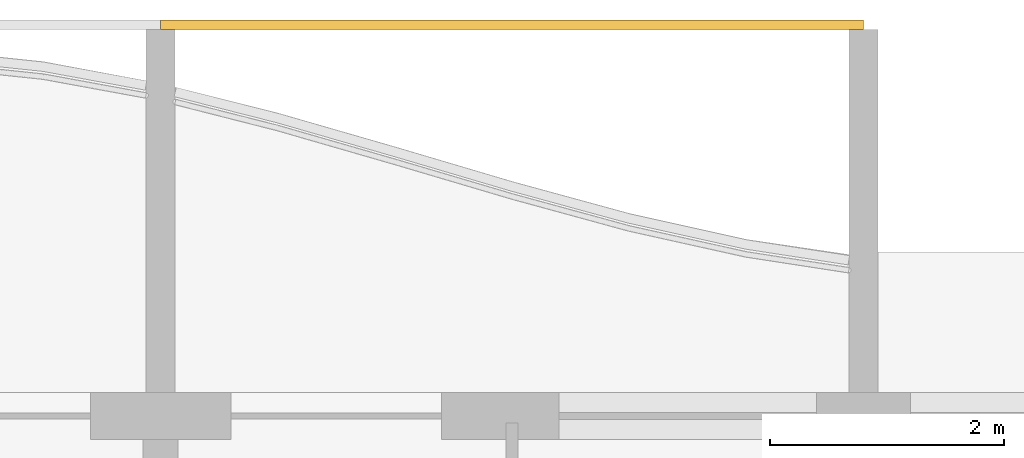
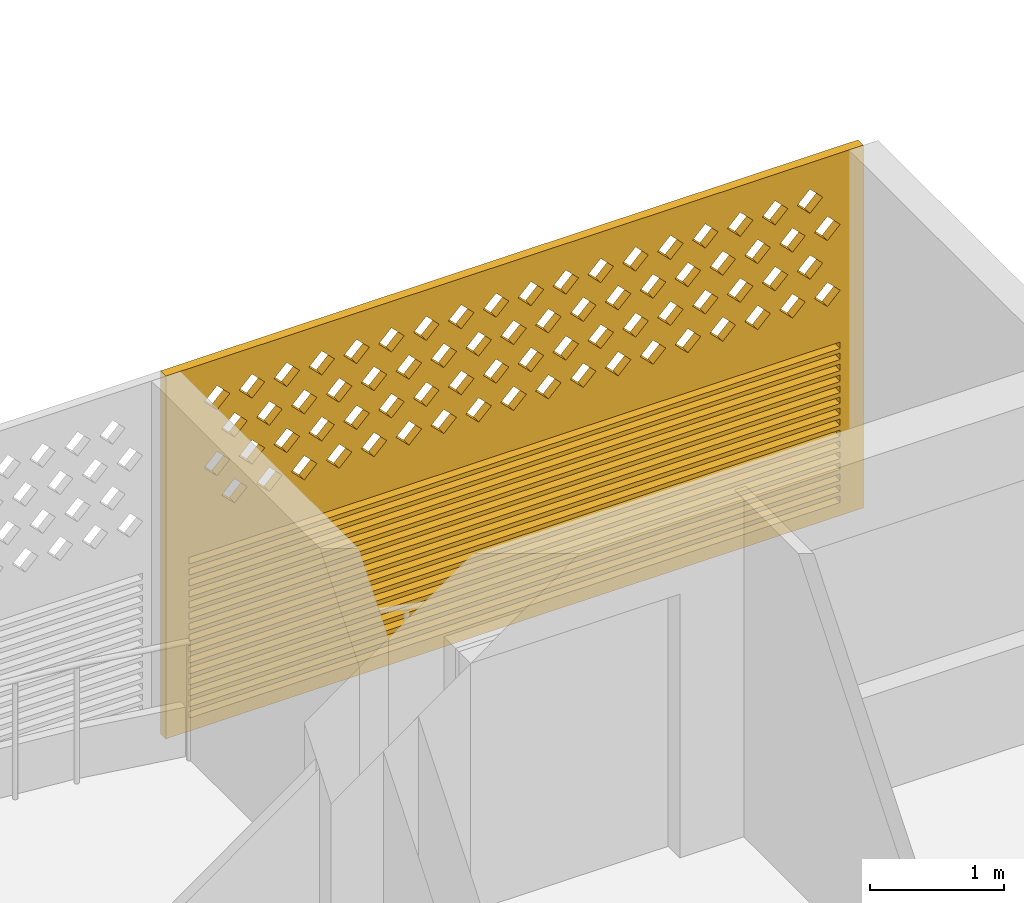
# One storey, part 30 of 32: 1 covering.
"""IFC4 building model written with IfcOpenShell, lengths in metres."""

from ifc_helpers import new_model, si_unit, direction, frame, origin, place, context, subcontext, project, spatial, polyline, outline, extrude, source, transform, mapped, material, material_profile, profile_set, type_object, element, save


model = new_model("IFC4")

# Units and contexts
model_context = context("Model", 3, precision=1e-05, world=origin(), true_north=direction((0.0, 1.0)))
body_context = subcontext(model_context, "Body", "Model", "MODEL_VIEW")
ifc_project = project(units=[si_unit("LENGTHUNIT", "METRE"), si_unit("AREAUNIT", "SQUARE_METRE"), si_unit("VOLUMEUNIT", "CUBIC_METRE"), si_unit("PLANEANGLEUNIT", "RADIAN"), si_unit("MASSUNIT", "GRAM", prefix="KILO")], contexts=[model_context])

# Site, building, storey
site_placement = place(None, origin())
site = spatial("IfcSite", under=ifc_project, at=site_placement, CompositionType="ELEMENT")
building_placement = place(site_placement, origin())
building = spatial("IfcBuilding", under=site, at=building_placement, Name="Poui Terraces", CompositionType="ELEMENT")
storey_placement = place(building_placement, frame((0.0, 0.0, 122.39990234375)))
storey = spatial("IfcBuildingStorey", under=building, at=storey_placement, Name="L33", CompositionType="ELEMENT", Elevation=122.39990234375)

# Covering
ifc_material = material(Name="Terracotta screen", Category="masonry")
ifc_material_profile = material_profile(ifc_material, outline(polyline([(-3.0, -1.64990234375), (3.0, -1.64990234375), (3.0, 1.64990234375), (-3.0, 1.64990234375), (-3.0, -1.64990234375)]), holes=[polyline([(-2.800048828125, 0.39990234375), (-2.68994140625, 0.2900390625), (-2.580078125, 0.39990234375), (-2.68994140625, 0.510009765625), (-2.800048828125, 0.39990234375)]), polyline([(-2.5, 0.39990234375), (-2.389892578125, 0.2900390625), (-2.280029296875, 0.39990234375), (-2.389892578125, 0.510009765625), (-2.5, 0.39990234375)]), polyline([(-2.199951171875, 0.39990234375), (-2.090087890625, 0.2900390625), (-1.97998046875, 0.39990234375), (-2.090087890625, 0.510009765625), (-2.199951171875, 0.39990234375)]), polyline([(-1.89990234375, 0.39990234375), (-1.7900390625, 0.2900390625), (-1.679931640625, 0.39990234375), (-1.7900390625, 0.510009765625), (-1.89990234375, 0.39990234375)]), polyline([(-1.60009765625, 0.39990234375), (-1.489990234375, 0.2900390625), (-1.3798828125, 0.39990234375), (-1.489990234375, 0.510009765625), (-1.60009765625, 0.39990234375)]), polyline([(-1.300048828125, 0.39990234375), (-1.18994140625, 0.2900390625), (-1.080078125, 0.39990234375), (-1.18994140625, 0.510009765625), (-1.300048828125, 0.39990234375)]), polyline([(-1.0, 0.39990234375), (-0.889892578125, 0.2900390625), (-0.780029296875, 0.39990234375), (-0.889892578125, 0.510009765625), (-1.0, 0.39990234375)]), polyline([(-0.699951171875, 0.39990234375), (-0.590087890625, 0.2900390625), (-0.47998046875, 0.39990234375), (-0.590087890625, 0.510009765625), (-0.699951171875, 0.39990234375)]), polyline([(-0.39990234375, 0.39990234375), (-0.2900390625, 0.2900390625), (-0.179931640625, 0.39990234375), (-0.2900390625, 0.510009765625), (-0.39990234375, 0.39990234375)]), polyline([(-0.10009765625, 0.39990234375), (0.010009765625, 0.2900390625), (0.1201171875, 0.39990234375), (0.010009765625, 0.510009765625), (-0.10009765625, 0.39990234375)]), polyline([(0.199951171875, 0.39990234375), (0.31005859375, 0.2900390625), (0.419921875, 0.39990234375), (0.31005859375, 0.510009765625), (0.199951171875, 0.39990234375)]), polyline([(0.5, 0.39990234375), (0.610107421875, 0.2900390625), (0.719970703125, 0.39990234375), (0.610107421875, 0.510009765625), (0.5, 0.39990234375)]), polyline([(0.800048828125, 0.39990234375), (0.909912109375, 0.2900390625), (1.02001953125, 0.39990234375), (0.909912109375, 0.510009765625), (0.800048828125, 0.39990234375)]), polyline([(1.10009765625, 0.39990234375), (1.2099609375, 0.2900390625), (1.320068359375, 0.39990234375), (1.2099609375, 0.510009765625), (1.10009765625, 0.39990234375)]), polyline([(1.39990234375, 0.39990234375), (1.510009765625, 0.2900390625), (1.6201171875, 0.39990234375), (1.510009765625, 0.510009765625), (1.39990234375, 0.39990234375)]), polyline([(1.699951171875, 0.39990234375), (1.81005859375, 0.2900390625), (1.919921875, 0.39990234375), (1.81005859375, 0.510009765625), (1.699951171875, 0.39990234375)]), polyline([(2.0, 0.39990234375), (2.110107421875, 0.2900390625), (2.219970703125, 0.39990234375), (2.110107421875, 0.510009765625), (2.0, 0.39990234375)]), polyline([(2.300048828125, 0.39990234375), (2.409912109375, 0.2900390625), (2.52001953125, 0.39990234375), (2.409912109375, 0.510009765625), (2.300048828125, 0.39990234375)]), polyline([(-2.64990234375, 0.699951171875), (-2.5400390625, 0.590087890625), (-2.429931640625, 0.699951171875), (-2.5400390625, 0.81005859375), (-2.64990234375, 0.699951171875)]), polyline([(-2.35009765625, 0.699951171875), (-2.239990234375, 0.590087890625), (-2.1298828125, 0.699951171875), (-2.239990234375, 0.81005859375), (-2.35009765625, 0.699951171875)]), polyline([(-2.050048828125, 0.699951171875), (-1.93994140625, 0.590087890625), (-1.830078125, 0.699951171875), (-1.93994140625, 0.81005859375), (-2.050048828125, 0.699951171875)]), polyline([(-1.75, 0.699951171875), (-1.639892578125, 0.590087890625), (-1.530029296875, 0.699951171875), (-1.639892578125, 0.81005859375), (-1.75, 0.699951171875)]), polyline([(-1.449951171875, 0.699951171875), (-1.340087890625, 0.590087890625), (-1.22998046875, 0.699951171875), (-1.340087890625, 0.81005859375), (-1.449951171875, 0.699951171875)]), polyline([(-1.14990234375, 0.699951171875), (-1.0400390625, 0.590087890625), (-0.929931640625, 0.699951171875), (-1.0400390625, 0.81005859375), (-1.14990234375, 0.699951171875)]), polyline([(-0.85009765625, 0.699951171875), (-0.739990234375, 0.590087890625), (-0.6298828125, 0.699951171875), (-0.739990234375, 0.81005859375), (-0.85009765625, 0.699951171875)]), polyline([(-0.550048828125, 0.699951171875), (-0.43994140625, 0.590087890625), (-0.330078125, 0.699951171875), (-0.43994140625, 0.81005859375), (-0.550048828125, 0.699951171875)]), polyline([(-0.25, 0.699951171875), (-0.139892578125, 0.590087890625), (-0.030029296875, 0.699951171875), (-0.139892578125, 0.81005859375), (-0.25, 0.699951171875)]), polyline([(0.050048828125, 0.699951171875), (0.159912109375, 0.590087890625), (0.27001953125, 0.699951171875), (0.159912109375, 0.81005859375), (0.050048828125, 0.699951171875)]), polyline([(0.35009765625, 0.699951171875), (0.4599609375, 0.590087890625), (0.570068359375, 0.699951171875), (0.4599609375, 0.81005859375), (0.35009765625, 0.699951171875)]), polyline([(0.64990234375, 0.699951171875), (0.760009765625, 0.590087890625), (0.8701171875, 0.699951171875), (0.760009765625, 0.81005859375), (0.64990234375, 0.699951171875)]), polyline([(0.949951171875, 0.699951171875), (1.06005859375, 0.590087890625), (1.169921875, 0.699951171875), (1.06005859375, 0.81005859375), (0.949951171875, 0.699951171875)]), polyline([(1.25, 0.699951171875), (1.360107421875, 0.590087890625), (1.469970703125, 0.699951171875), (1.360107421875, 0.81005859375), (1.25, 0.699951171875)]), polyline([(1.550048828125, 0.699951171875), (1.659912109375, 0.590087890625), (1.77001953125, 0.699951171875), (1.659912109375, 0.81005859375), (1.550048828125, 0.699951171875)]), polyline([(1.85009765625, 0.699951171875), (1.9599609375, 0.590087890625), (2.070068359375, 0.699951171875), (1.9599609375, 0.81005859375), (1.85009765625, 0.699951171875)]), polyline([(2.14990234375, 0.699951171875), (2.260009765625, 0.590087890625), (2.3701171875, 0.699951171875), (2.260009765625, 0.81005859375), (2.14990234375, 0.699951171875)]), polyline([(2.449951171875, 0.699951171875), (2.56005859375, 0.590087890625), (2.669921875, 0.699951171875), (2.56005859375, 0.81005859375), (2.449951171875, 0.699951171875)]), polyline([(-2.800048828125, 1.0), (-2.68994140625, 0.889892578125), (-2.580078125, 1.0), (-2.68994140625, 1.110107421875), (-2.800048828125, 1.0)]), polyline([(-2.5, 1.0), (-2.389892578125, 0.889892578125), (-2.280029296875, 1.0), (-2.389892578125, 1.110107421875), (-2.5, 1.0)]), polyline([(-2.199951171875, 1.0), (-2.090087890625, 0.889892578125), (-1.97998046875, 1.0), (-2.090087890625, 1.110107421875), (-2.199951171875, 1.0)]), polyline([(-1.89990234375, 1.0), (-1.7900390625, 0.889892578125), (-1.679931640625, 1.0), (-1.7900390625, 1.110107421875), (-1.89990234375, 1.0)]), polyline([(-1.60009765625, 1.0), (-1.489990234375, 0.889892578125), (-1.3798828125, 1.0), (-1.489990234375, 1.110107421875), (-1.60009765625, 1.0)]), polyline([(-1.300048828125, 1.0), (-1.18994140625, 0.889892578125), (-1.080078125, 1.0), (-1.18994140625, 1.110107421875), (-1.300048828125, 1.0)]), polyline([(-1.0, 1.0), (-0.889892578125, 0.889892578125), (-0.780029296875, 1.0), (-0.889892578125, 1.110107421875), (-1.0, 1.0)]), polyline([(-0.699951171875, 1.0), (-0.590087890625, 0.889892578125), (-0.47998046875, 1.0), (-0.590087890625, 1.110107421875), (-0.699951171875, 1.0)]), polyline([(-0.39990234375, 1.0), (-0.2900390625, 0.889892578125), (-0.179931640625, 1.0), (-0.2900390625, 1.110107421875), (-0.39990234375, 1.0)]), polyline([(-0.10009765625, 1.0), (0.010009765625, 0.889892578125), (0.1201171875, 1.0), (0.010009765625, 1.110107421875), (-0.10009765625, 1.0)]), polyline([(0.199951171875, 1.0), (0.31005859375, 0.889892578125), (0.419921875, 1.0), (0.31005859375, 1.110107421875), (0.199951171875, 1.0)]), polyline([(0.5, 1.0), (0.610107421875, 0.889892578125), (0.719970703125, 1.0), (0.610107421875, 1.110107421875), (0.5, 1.0)]), polyline([(0.800048828125, 1.0), (0.909912109375, 0.889892578125), (1.02001953125, 1.0), (0.909912109375, 1.110107421875), (0.800048828125, 1.0)]), polyline([(1.10009765625, 1.0), (1.2099609375, 0.889892578125), (1.320068359375, 1.0), (1.2099609375, 1.110107421875), (1.10009765625, 1.0)]), polyline([(1.39990234375, 1.0), (1.510009765625, 0.889892578125), (1.6201171875, 1.0), (1.510009765625, 1.110107421875), (1.39990234375, 1.0)]), polyline([(1.699951171875, 1.0), (1.81005859375, 0.889892578125), (1.919921875, 1.0), (1.81005859375, 1.110107421875), (1.699951171875, 1.0)]), polyline([(2.0, 1.0), (2.110107421875, 0.889892578125), (2.219970703125, 1.0), (2.110107421875, 1.110107421875), (2.0, 1.0)]), polyline([(2.300048828125, 1.0), (2.409912109375, 0.889892578125), (2.52001953125, 1.0), (2.409912109375, 1.110107421875), (2.300048828125, 1.0)]), polyline([(-2.64990234375, 1.300048828125), (-2.5400390625, 1.18994140625), (-2.429931640625, 1.300048828125), (-2.5400390625, 1.409912109375), (-2.64990234375, 1.300048828125)]), polyline([(-2.35009765625, 1.300048828125), (-2.239990234375, 1.18994140625), (-2.1298828125, 1.300048828125), (-2.239990234375, 1.409912109375), (-2.35009765625, 1.300048828125)]), polyline([(-2.050048828125, 1.300048828125), (-1.93994140625, 1.18994140625), (-1.830078125, 1.300048828125), (-1.93994140625, 1.409912109375), (-2.050048828125, 1.300048828125)]), polyline([(-1.75, 1.300048828125), (-1.639892578125, 1.18994140625), (-1.530029296875, 1.300048828125), (-1.639892578125, 1.409912109375), (-1.75, 1.300048828125)]), polyline([(-1.449951171875, 1.300048828125), (-1.340087890625, 1.18994140625), (-1.22998046875, 1.300048828125), (-1.340087890625, 1.409912109375), (-1.449951171875, 1.300048828125)]), polyline([(-1.14990234375, 1.300048828125), (-1.0400390625, 1.18994140625), (-0.929931640625, 1.300048828125), (-1.0400390625, 1.409912109375), (-1.14990234375, 1.300048828125)]), polyline([(-0.85009765625, 1.300048828125), (-0.739990234375, 1.18994140625), (-0.6298828125, 1.300048828125), (-0.739990234375, 1.409912109375), (-0.85009765625, 1.300048828125)]), polyline([(-0.550048828125, 1.300048828125), (-0.43994140625, 1.18994140625), (-0.330078125, 1.300048828125), (-0.43994140625, 1.409912109375), (-0.550048828125, 1.300048828125)]), polyline([(-0.25, 1.300048828125), (-0.139892578125, 1.18994140625), (-0.030029296875, 1.300048828125), (-0.139892578125, 1.409912109375), (-0.25, 1.300048828125)]), polyline([(0.050048828125, 1.300048828125), (0.159912109375, 1.18994140625), (0.27001953125, 1.300048828125), (0.159912109375, 1.409912109375), (0.050048828125, 1.300048828125)]), polyline([(0.35009765625, 1.300048828125), (0.4599609375, 1.18994140625), (0.570068359375, 1.300048828125), (0.4599609375, 1.409912109375), (0.35009765625, 1.300048828125)]), polyline([(0.64990234375, 1.300048828125), (0.760009765625, 1.18994140625), (0.8701171875, 1.300048828125), (0.760009765625, 1.409912109375), (0.64990234375, 1.300048828125)]), polyline([(0.949951171875, 1.300048828125), (1.06005859375, 1.18994140625), (1.169921875, 1.300048828125), (1.06005859375, 1.409912109375), (0.949951171875, 1.300048828125)]), polyline([(1.25, 1.300048828125), (1.360107421875, 1.18994140625), (1.469970703125, 1.300048828125), (1.360107421875, 1.409912109375), (1.25, 1.300048828125)]), polyline([(1.550048828125, 1.300048828125), (1.659912109375, 1.18994140625), (1.77001953125, 1.300048828125), (1.659912109375, 1.409912109375), (1.550048828125, 1.300048828125)]), polyline([(1.85009765625, 1.300048828125), (1.9599609375, 1.18994140625), (2.070068359375, 1.300048828125), (1.9599609375, 1.409912109375), (1.85009765625, 1.300048828125)]), polyline([(2.14990234375, 1.300048828125), (2.260009765625, 1.18994140625), (2.3701171875, 1.300048828125), (2.260009765625, 1.409912109375), (2.14990234375, 1.300048828125)]), polyline([(2.449951171875, 1.300048828125), (2.56005859375, 1.18994140625), (2.669921875, 1.300048828125), (2.56005859375, 1.409912109375), (2.449951171875, 1.300048828125)]), polyline([(-2.800048828125, -1.530029296875), (2.800048828125, -1.530029296875), (2.800048828125, -1.469970703125), (-2.800048828125, -1.469970703125), (-2.800048828125, -1.530029296875)]), polyline([(-2.800048828125, -1.429931640625), (2.800048828125, -1.429931640625), (2.800048828125, -1.3701171875), (-2.800048828125, -1.3701171875), (-2.800048828125, -1.429931640625)]), polyline([(-2.800048828125, -1.330078125), (2.800048828125, -1.330078125), (2.800048828125, -1.27001953125), (-2.800048828125, -1.27001953125), (-2.800048828125, -1.330078125)]), polyline([(-2.800048828125, -1.22998046875), (2.800048828125, -1.22998046875), (2.800048828125, -1.169921875), (-2.800048828125, -1.169921875), (-2.800048828125, -1.22998046875)]), polyline([(-2.800048828125, -1.1298828125), (2.800048828125, -1.1298828125), (2.800048828125, -1.070068359375), (-2.800048828125, -1.070068359375), (-2.800048828125, -1.1298828125)]), polyline([(-2.800048828125, -1.030029296875), (2.800048828125, -1.030029296875), (2.800048828125, -0.969970703125), (-2.800048828125, -0.969970703125), (-2.800048828125, -1.030029296875)]), polyline([(-2.800048828125, -0.929931640625), (2.800048828125, -0.929931640625), (2.800048828125, -0.8701171875), (-2.800048828125, -0.8701171875), (-2.800048828125, -0.929931640625)]), polyline([(-2.800048828125, -0.830078125), (2.800048828125, -0.830078125), (2.800048828125, -0.77001953125), (-2.800048828125, -0.77001953125), (-2.800048828125, -0.830078125)]), polyline([(-2.800048828125, -0.72998046875), (2.800048828125, -0.72998046875), (2.800048828125, -0.669921875), (-2.800048828125, -0.669921875), (-2.800048828125, -0.72998046875)]), polyline([(-2.800048828125, -0.6298828125), (2.800048828125, -0.6298828125), (2.800048828125, -0.570068359375), (-2.800048828125, -0.570068359375), (-2.800048828125, -0.6298828125)]), polyline([(-2.800048828125, -0.530029296875), (2.800048828125, -0.530029296875), (2.800048828125, -0.469970703125), (-2.800048828125, -0.469970703125), (-2.800048828125, -0.530029296875)]), polyline([(-2.800048828125, -0.429931640625), (2.800048828125, -0.429931640625), (2.800048828125, -0.3701171875), (-2.800048828125, -0.3701171875), (-2.800048828125, -0.429931640625)]), polyline([(-2.800048828125, -0.330078125), (2.800048828125, -0.330078125), (2.800048828125, -0.27001953125), (-2.800048828125, -0.27001953125), (-2.800048828125, -0.330078125)]), polyline([(-2.800048828125, -0.22998046875), (2.800048828125, -0.22998046875), (2.800048828125, -0.169921875), (-2.800048828125, -0.169921875), (-2.800048828125, -0.22998046875)]), polyline([(-2.800048828125, -0.1298828125), (2.800048828125, -0.1298828125), (2.800048828125, -0.070068359375), (-2.800048828125, -0.070068359375), (-2.800048828125, -0.1298828125)])]), Name="TERRACOTTA SCREEN AND JALOUSIE LOUVRE 6000X3300")
ifc_profile_set = profile_set([ifc_material_profile], Name="Terracotta screen")
covering_type = type_object("IfcCoveringType", Name="TERRACOTTA SCREEN AND JALOUSIE LOUVRE 6000X3300", PredefinedType="CLADDING", material=ifc_profile_set)
shared_shape = source(origin(), body_context, "Body", "SweptSolid", [
    extrude(outline(polyline([(-3.0, -1.64990234375), (3.0, -1.64990234375), (3.0, 1.64990234375), (-3.0, 1.64990234375), (-3.0, -1.64990234375)]), holes=[polyline([(-2.800048828125, 0.39990234375), (-2.68994140625, 0.2900390625), (-2.580078125, 0.39990234375), (-2.68994140625, 0.510009765625), (-2.800048828125, 0.39990234375)]), polyline([(-2.5, 0.39990234375), (-2.389892578125, 0.2900390625), (-2.280029296875, 0.39990234375), (-2.389892578125, 0.510009765625), (-2.5, 0.39990234375)]), polyline([(-2.199951171875, 0.39990234375), (-2.090087890625, 0.2900390625), (-1.97998046875, 0.39990234375), (-2.090087890625, 0.510009765625), (-2.199951171875, 0.39990234375)]), polyline([(-1.89990234375, 0.39990234375), (-1.7900390625, 0.2900390625), (-1.679931640625, 0.39990234375), (-1.7900390625, 0.510009765625), (-1.89990234375, 0.39990234375)]), polyline([(-1.60009765625, 0.39990234375), (-1.489990234375, 0.2900390625), (-1.3798828125, 0.39990234375), (-1.489990234375, 0.510009765625), (-1.60009765625, 0.39990234375)]), polyline([(-1.300048828125, 0.39990234375), (-1.18994140625, 0.2900390625), (-1.080078125, 0.39990234375), (-1.18994140625, 0.510009765625), (-1.300048828125, 0.39990234375)]), polyline([(-1.0, 0.39990234375), (-0.889892578125, 0.2900390625), (-0.780029296875, 0.39990234375), (-0.889892578125, 0.510009765625), (-1.0, 0.39990234375)]), polyline([(-0.699951171875, 0.39990234375), (-0.590087890625, 0.2900390625), (-0.47998046875, 0.39990234375), (-0.590087890625, 0.510009765625), (-0.699951171875, 0.39990234375)]), polyline([(-0.39990234375, 0.39990234375), (-0.2900390625, 0.2900390625), (-0.179931640625, 0.39990234375), (-0.2900390625, 0.510009765625), (-0.39990234375, 0.39990234375)]), polyline([(-0.10009765625, 0.39990234375), (0.010009765625, 0.2900390625), (0.1201171875, 0.39990234375), (0.010009765625, 0.510009765625), (-0.10009765625, 0.39990234375)]), polyline([(0.199951171875, 0.39990234375), (0.31005859375, 0.2900390625), (0.419921875, 0.39990234375), (0.31005859375, 0.510009765625), (0.199951171875, 0.39990234375)]), polyline([(0.5, 0.39990234375), (0.610107421875, 0.2900390625), (0.719970703125, 0.39990234375), (0.610107421875, 0.510009765625), (0.5, 0.39990234375)]), polyline([(0.800048828125, 0.39990234375), (0.909912109375, 0.2900390625), (1.02001953125, 0.39990234375), (0.909912109375, 0.510009765625), (0.800048828125, 0.39990234375)]), polyline([(1.10009765625, 0.39990234375), (1.2099609375, 0.2900390625), (1.320068359375, 0.39990234375), (1.2099609375, 0.510009765625), (1.10009765625, 0.39990234375)]), polyline([(1.39990234375, 0.39990234375), (1.510009765625, 0.2900390625), (1.6201171875, 0.39990234375), (1.510009765625, 0.510009765625), (1.39990234375, 0.39990234375)]), polyline([(1.699951171875, 0.39990234375), (1.81005859375, 0.2900390625), (1.919921875, 0.39990234375), (1.81005859375, 0.510009765625), (1.699951171875, 0.39990234375)]), polyline([(2.0, 0.39990234375), (2.110107421875, 0.2900390625), (2.219970703125, 0.39990234375), (2.110107421875, 0.510009765625), (2.0, 0.39990234375)]), polyline([(2.300048828125, 0.39990234375), (2.409912109375, 0.2900390625), (2.52001953125, 0.39990234375), (2.409912109375, 0.510009765625), (2.300048828125, 0.39990234375)]), polyline([(-2.64990234375, 0.699951171875), (-2.5400390625, 0.590087890625), (-2.429931640625, 0.699951171875), (-2.5400390625, 0.81005859375), (-2.64990234375, 0.699951171875)]), polyline([(-2.35009765625, 0.699951171875), (-2.239990234375, 0.590087890625), (-2.1298828125, 0.699951171875), (-2.239990234375, 0.81005859375), (-2.35009765625, 0.699951171875)]), polyline([(-2.050048828125, 0.699951171875), (-1.93994140625, 0.590087890625), (-1.830078125, 0.699951171875), (-1.93994140625, 0.81005859375), (-2.050048828125, 0.699951171875)]), polyline([(-1.75, 0.699951171875), (-1.639892578125, 0.590087890625), (-1.530029296875, 0.699951171875), (-1.639892578125, 0.81005859375), (-1.75, 0.699951171875)]), polyline([(-1.449951171875, 0.699951171875), (-1.340087890625, 0.590087890625), (-1.22998046875, 0.699951171875), (-1.340087890625, 0.81005859375), (-1.449951171875, 0.699951171875)]), polyline([(-1.14990234375, 0.699951171875), (-1.0400390625, 0.590087890625), (-0.929931640625, 0.699951171875), (-1.0400390625, 0.81005859375), (-1.14990234375, 0.699951171875)]), polyline([(-0.85009765625, 0.699951171875), (-0.739990234375, 0.590087890625), (-0.6298828125, 0.699951171875), (-0.739990234375, 0.81005859375), (-0.85009765625, 0.699951171875)]), polyline([(-0.550048828125, 0.699951171875), (-0.43994140625, 0.590087890625), (-0.330078125, 0.699951171875), (-0.43994140625, 0.81005859375), (-0.550048828125, 0.699951171875)]), polyline([(-0.25, 0.699951171875), (-0.139892578125, 0.590087890625), (-0.030029296875, 0.699951171875), (-0.139892578125, 0.81005859375), (-0.25, 0.699951171875)]), polyline([(0.050048828125, 0.699951171875), (0.159912109375, 0.590087890625), (0.27001953125, 0.699951171875), (0.159912109375, 0.81005859375), (0.050048828125, 0.699951171875)]), polyline([(0.35009765625, 0.699951171875), (0.4599609375, 0.590087890625), (0.570068359375, 0.699951171875), (0.4599609375, 0.81005859375), (0.35009765625, 0.699951171875)]), polyline([(0.64990234375, 0.699951171875), (0.760009765625, 0.590087890625), (0.8701171875, 0.699951171875), (0.760009765625, 0.81005859375), (0.64990234375, 0.699951171875)]), polyline([(0.949951171875, 0.699951171875), (1.06005859375, 0.590087890625), (1.169921875, 0.699951171875), (1.06005859375, 0.81005859375), (0.949951171875, 0.699951171875)]), polyline([(1.25, 0.699951171875), (1.360107421875, 0.590087890625), (1.469970703125, 0.699951171875), (1.360107421875, 0.81005859375), (1.25, 0.699951171875)]), polyline([(1.550048828125, 0.699951171875), (1.659912109375, 0.590087890625), (1.77001953125, 0.699951171875), (1.659912109375, 0.81005859375), (1.550048828125, 0.699951171875)]), polyline([(1.85009765625, 0.699951171875), (1.9599609375, 0.590087890625), (2.070068359375, 0.699951171875), (1.9599609375, 0.81005859375), (1.85009765625, 0.699951171875)]), polyline([(2.14990234375, 0.699951171875), (2.260009765625, 0.590087890625), (2.3701171875, 0.699951171875), (2.260009765625, 0.81005859375), (2.14990234375, 0.699951171875)]), polyline([(2.449951171875, 0.699951171875), (2.56005859375, 0.590087890625), (2.669921875, 0.699951171875), (2.56005859375, 0.81005859375), (2.449951171875, 0.699951171875)]), polyline([(-2.800048828125, 1.0), (-2.68994140625, 0.889892578125), (-2.580078125, 1.0), (-2.68994140625, 1.110107421875), (-2.800048828125, 1.0)]), polyline([(-2.5, 1.0), (-2.389892578125, 0.889892578125), (-2.280029296875, 1.0), (-2.389892578125, 1.110107421875), (-2.5, 1.0)]), polyline([(-2.199951171875, 1.0), (-2.090087890625, 0.889892578125), (-1.97998046875, 1.0), (-2.090087890625, 1.110107421875), (-2.199951171875, 1.0)]), polyline([(-1.89990234375, 1.0), (-1.7900390625, 0.889892578125), (-1.679931640625, 1.0), (-1.7900390625, 1.110107421875), (-1.89990234375, 1.0)]), polyline([(-1.60009765625, 1.0), (-1.489990234375, 0.889892578125), (-1.3798828125, 1.0), (-1.489990234375, 1.110107421875), (-1.60009765625, 1.0)]), polyline([(-1.300048828125, 1.0), (-1.18994140625, 0.889892578125), (-1.080078125, 1.0), (-1.18994140625, 1.110107421875), (-1.300048828125, 1.0)]), polyline([(-1.0, 1.0), (-0.889892578125, 0.889892578125), (-0.780029296875, 1.0), (-0.889892578125, 1.110107421875), (-1.0, 1.0)]), polyline([(-0.699951171875, 1.0), (-0.590087890625, 0.889892578125), (-0.47998046875, 1.0), (-0.590087890625, 1.110107421875), (-0.699951171875, 1.0)]), polyline([(-0.39990234375, 1.0), (-0.2900390625, 0.889892578125), (-0.179931640625, 1.0), (-0.2900390625, 1.110107421875), (-0.39990234375, 1.0)]), polyline([(-0.10009765625, 1.0), (0.010009765625, 0.889892578125), (0.1201171875, 1.0), (0.010009765625, 1.110107421875), (-0.10009765625, 1.0)]), polyline([(0.199951171875, 1.0), (0.31005859375, 0.889892578125), (0.419921875, 1.0), (0.31005859375, 1.110107421875), (0.199951171875, 1.0)]), polyline([(0.5, 1.0), (0.610107421875, 0.889892578125), (0.719970703125, 1.0), (0.610107421875, 1.110107421875), (0.5, 1.0)]), polyline([(0.800048828125, 1.0), (0.909912109375, 0.889892578125), (1.02001953125, 1.0), (0.909912109375, 1.110107421875), (0.800048828125, 1.0)]), polyline([(1.10009765625, 1.0), (1.2099609375, 0.889892578125), (1.320068359375, 1.0), (1.2099609375, 1.110107421875), (1.10009765625, 1.0)]), polyline([(1.39990234375, 1.0), (1.510009765625, 0.889892578125), (1.6201171875, 1.0), (1.510009765625, 1.110107421875), (1.39990234375, 1.0)]), polyline([(1.699951171875, 1.0), (1.81005859375, 0.889892578125), (1.919921875, 1.0), (1.81005859375, 1.110107421875), (1.699951171875, 1.0)]), polyline([(2.0, 1.0), (2.110107421875, 0.889892578125), (2.219970703125, 1.0), (2.110107421875, 1.110107421875), (2.0, 1.0)]), polyline([(2.300048828125, 1.0), (2.409912109375, 0.889892578125), (2.52001953125, 1.0), (2.409912109375, 1.110107421875), (2.300048828125, 1.0)]), polyline([(-2.64990234375, 1.300048828125), (-2.5400390625, 1.18994140625), (-2.429931640625, 1.300048828125), (-2.5400390625, 1.409912109375), (-2.64990234375, 1.300048828125)]), polyline([(-2.35009765625, 1.300048828125), (-2.239990234375, 1.18994140625), (-2.1298828125, 1.300048828125), (-2.239990234375, 1.409912109375), (-2.35009765625, 1.300048828125)]), polyline([(-2.050048828125, 1.300048828125), (-1.93994140625, 1.18994140625), (-1.830078125, 1.300048828125), (-1.93994140625, 1.409912109375), (-2.050048828125, 1.300048828125)]), polyline([(-1.75, 1.300048828125), (-1.639892578125, 1.18994140625), (-1.530029296875, 1.300048828125), (-1.639892578125, 1.409912109375), (-1.75, 1.300048828125)]), polyline([(-1.449951171875, 1.300048828125), (-1.340087890625, 1.18994140625), (-1.22998046875, 1.300048828125), (-1.340087890625, 1.409912109375), (-1.449951171875, 1.300048828125)]), polyline([(-1.14990234375, 1.300048828125), (-1.0400390625, 1.18994140625), (-0.929931640625, 1.300048828125), (-1.0400390625, 1.409912109375), (-1.14990234375, 1.300048828125)]), polyline([(-0.85009765625, 1.300048828125), (-0.739990234375, 1.18994140625), (-0.6298828125, 1.300048828125), (-0.739990234375, 1.409912109375), (-0.85009765625, 1.300048828125)]), polyline([(-0.550048828125, 1.300048828125), (-0.43994140625, 1.18994140625), (-0.330078125, 1.300048828125), (-0.43994140625, 1.409912109375), (-0.550048828125, 1.300048828125)]), polyline([(-0.25, 1.300048828125), (-0.139892578125, 1.18994140625), (-0.030029296875, 1.300048828125), (-0.139892578125, 1.409912109375), (-0.25, 1.300048828125)]), polyline([(0.050048828125, 1.300048828125), (0.159912109375, 1.18994140625), (0.27001953125, 1.300048828125), (0.159912109375, 1.409912109375), (0.050048828125, 1.300048828125)]), polyline([(0.35009765625, 1.300048828125), (0.4599609375, 1.18994140625), (0.570068359375, 1.300048828125), (0.4599609375, 1.409912109375), (0.35009765625, 1.300048828125)]), polyline([(0.64990234375, 1.300048828125), (0.760009765625, 1.18994140625), (0.8701171875, 1.300048828125), (0.760009765625, 1.409912109375), (0.64990234375, 1.300048828125)]), polyline([(0.949951171875, 1.300048828125), (1.06005859375, 1.18994140625), (1.169921875, 1.300048828125), (1.06005859375, 1.409912109375), (0.949951171875, 1.300048828125)]), polyline([(1.25, 1.300048828125), (1.360107421875, 1.18994140625), (1.469970703125, 1.300048828125), (1.360107421875, 1.409912109375), (1.25, 1.300048828125)]), polyline([(1.550048828125, 1.300048828125), (1.659912109375, 1.18994140625), (1.77001953125, 1.300048828125), (1.659912109375, 1.409912109375), (1.550048828125, 1.300048828125)]), polyline([(1.85009765625, 1.300048828125), (1.9599609375, 1.18994140625), (2.070068359375, 1.300048828125), (1.9599609375, 1.409912109375), (1.85009765625, 1.300048828125)]), polyline([(2.14990234375, 1.300048828125), (2.260009765625, 1.18994140625), (2.3701171875, 1.300048828125), (2.260009765625, 1.409912109375), (2.14990234375, 1.300048828125)]), polyline([(2.449951171875, 1.300048828125), (2.56005859375, 1.18994140625), (2.669921875, 1.300048828125), (2.56005859375, 1.409912109375), (2.449951171875, 1.300048828125)]), polyline([(-2.800048828125, -1.530029296875), (2.800048828125, -1.530029296875), (2.800048828125, -1.469970703125), (-2.800048828125, -1.469970703125), (-2.800048828125, -1.530029296875)]), polyline([(-2.800048828125, -1.429931640625), (2.800048828125, -1.429931640625), (2.800048828125, -1.3701171875), (-2.800048828125, -1.3701171875), (-2.800048828125, -1.429931640625)]), polyline([(-2.800048828125, -1.330078125), (2.800048828125, -1.330078125), (2.800048828125, -1.27001953125), (-2.800048828125, -1.27001953125), (-2.800048828125, -1.330078125)]), polyline([(-2.800048828125, -1.22998046875), (2.800048828125, -1.22998046875), (2.800048828125, -1.169921875), (-2.800048828125, -1.169921875), (-2.800048828125, -1.22998046875)]), polyline([(-2.800048828125, -1.1298828125), (2.800048828125, -1.1298828125), (2.800048828125, -1.070068359375), (-2.800048828125, -1.070068359375), (-2.800048828125, -1.1298828125)]), polyline([(-2.800048828125, -1.030029296875), (2.800048828125, -1.030029296875), (2.800048828125, -0.969970703125), (-2.800048828125, -0.969970703125), (-2.800048828125, -1.030029296875)]), polyline([(-2.800048828125, -0.929931640625), (2.800048828125, -0.929931640625), (2.800048828125, -0.8701171875), (-2.800048828125, -0.8701171875), (-2.800048828125, -0.929931640625)]), polyline([(-2.800048828125, -0.830078125), (2.800048828125, -0.830078125), (2.800048828125, -0.77001953125), (-2.800048828125, -0.77001953125), (-2.800048828125, -0.830078125)]), polyline([(-2.800048828125, -0.72998046875), (2.800048828125, -0.72998046875), (2.800048828125, -0.669921875), (-2.800048828125, -0.669921875), (-2.800048828125, -0.72998046875)]), polyline([(-2.800048828125, -0.6298828125), (2.800048828125, -0.6298828125), (2.800048828125, -0.570068359375), (-2.800048828125, -0.570068359375), (-2.800048828125, -0.6298828125)]), polyline([(-2.800048828125, -0.530029296875), (2.800048828125, -0.530029296875), (2.800048828125, -0.469970703125), (-2.800048828125, -0.469970703125), (-2.800048828125, -0.530029296875)]), polyline([(-2.800048828125, -0.429931640625), (2.800048828125, -0.429931640625), (2.800048828125, -0.3701171875), (-2.800048828125, -0.3701171875), (-2.800048828125, -0.429931640625)]), polyline([(-2.800048828125, -0.330078125), (2.800048828125, -0.330078125), (2.800048828125, -0.27001953125), (-2.800048828125, -0.27001953125), (-2.800048828125, -0.330078125)]), polyline([(-2.800048828125, -0.22998046875), (2.800048828125, -0.22998046875), (2.800048828125, -0.169921875), (-2.800048828125, -0.169921875), (-2.800048828125, -0.22998046875)]), polyline([(-2.800048828125, -0.1298828125), (2.800048828125, -0.1298828125), (2.800048828125, -0.070068359375), (-2.800048828125, -0.070068359375), (-2.800048828125, -0.1298828125)])]), origin(), (0.0, 0.0, 1.0), 0.080078125),
])
covering_placement = place(storey_placement, frame((69.0, 45.699951171875, 1.4501953125), z_axis=(0.0, 1.0, 0.0), x_axis=(-1.0, 0.0, 0.0)))
element("IfcCovering", 1, at=covering_placement, inside=storey, type_object=covering_type, Name="SOLAR SCREEN AND JALOUSIE LOUVRE", PredefinedType="CLADDING", context=body_context, shape_type="MappedRepresentation", body=[
    mapped(shared_shape, transform((0.0, 0.0, 0.0))),
])

save(model, "model.ifc")
